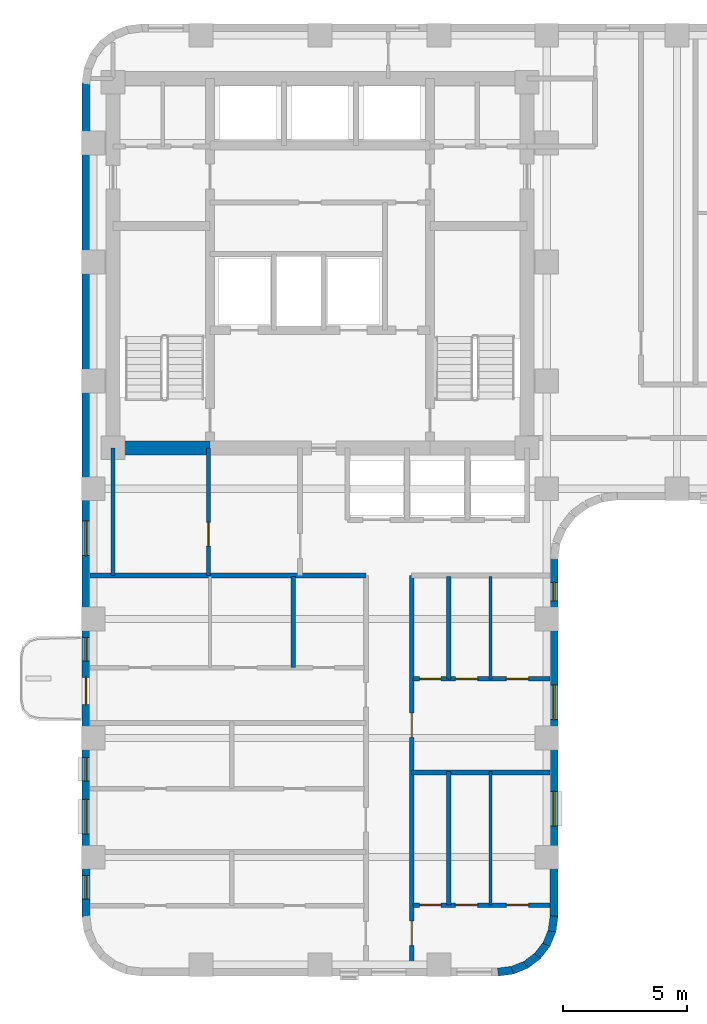
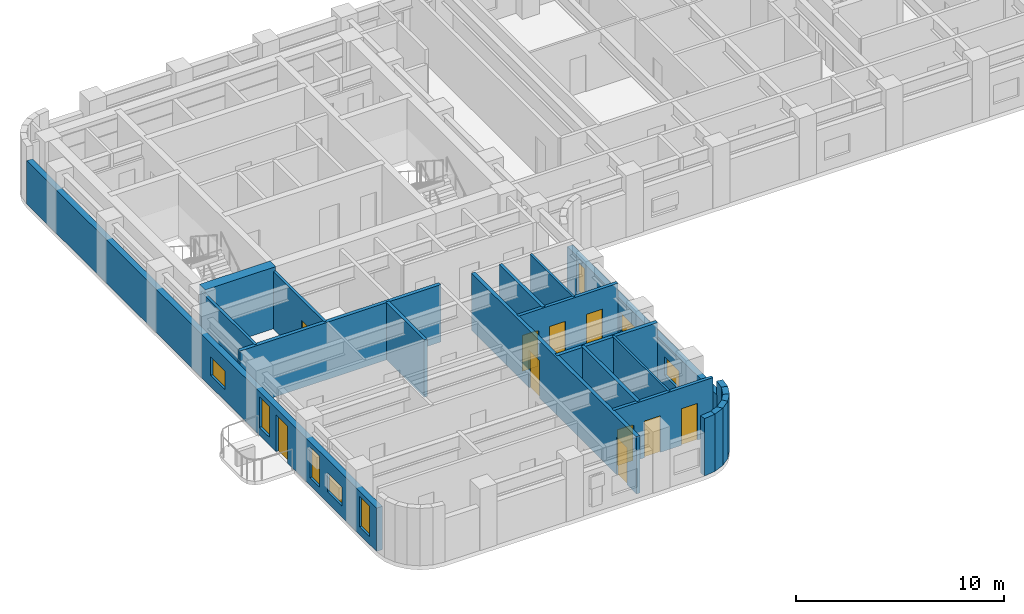
# One storey, part 3 of 10: 21 walls, 10 doors, 8 windows, 18 openings.
"""IFC4 building model written with IfcOpenShell, lengths in metres."""

from ifc_helpers import new_model, si_unit, direction, frame, frame_2d, origin, place, context, subcontext, project, spatial, rectangle, extrude, material, layer, layer_set, type_object, element, fill, save


model = new_model("IFC4")

# Units and contexts
model_context = context("Model", 3, precision=1e-05, world=origin(), true_north=direction((0.0, 1.0)))
body_context = subcontext(model_context, "Body", "Model", "MODEL_VIEW")
ifc_project = project(units=[si_unit("LENGTHUNIT", "METRE"), si_unit("AREAUNIT", "SQUARE_METRE"), si_unit("VOLUMEUNIT", "CUBIC_METRE"), si_unit("PLANEANGLEUNIT", "RADIAN"), si_unit("MASSUNIT", "GRAM", prefix="KILO")], contexts=[model_context])

# Site, building, storey
site_placement = place(None, origin())
site = spatial("IfcSite", under=ifc_project, at=site_placement, CompositionType="ELEMENT")
building_placement = place(site_placement, origin())
building = spatial("IfcBuilding", under=site, at=building_placement, Name="Orvandelia Arch Residences", CompositionType="ELEMENT")
storey_placement = place(building_placement, frame((0.0, 0.0, 136.0)))
storey = spatial("IfcBuildingStorey", under=building, at=storey_placement, Name="L35", CompositionType="ELEMENT", Elevation=136.0)

# Wall
ifc_material_1 = material(Name="Concrete C60/75", Category="concrete")
ifc_layer_1 = layer(ifc_material_1, 0.550048828125, Name="Concrete C60/75", Category="concrete")
ifc_layer_set_1 = layer_set([ifc_layer_1], Name="Concrete C60/75")
wall_type_1 = type_object("IfcWallType", Name="WL-CORE-550", PredefinedType="SHEAR", material=ifc_layer_set_1)
wall_1_placement = place(storey_placement, frame((6.050048828125, 30.89990234375, 0.0), z_axis=(0.0, 0.0, 1.0), x_axis=(1.0, 0.0, 0.0)))
element("IfcWall", 1, at=wall_1_placement, inside=storey, type_object=wall_type_1, Name="Core Shear Wall L35-SW", PredefinedType="SHEAR", context=body_context, shape_type="SweptSolid", body=[
    extrude(rectangle(XDim=3.909912109375, YDim=0.550048828125, at=frame_2d((1.955078125, 0.0))), origin(), (0.0, 0.0, 1.0), 3.60009765625),
])

# Wall, openings, doors
ifc_material_2 = material(Name="Fire-Rated Corridor Partition")
ifc_layer_2 = layer(ifc_material_2, 0.199951171875, Name="Fire-Rated Corridor Partition")
ifc_layer_set_2 = layer_set([ifc_layer_2], Name="Fire-Rated Corridor Partition")
wall_type_2 = type_object("IfcWallType", Name="WL-CORR-200", PredefinedType="PARTITIONING", material=ifc_layer_set_2)
wall_2_placement = place(storey_placement, frame((18.10009765625, 9.919921875, 0.0), z_axis=(0.0, 0.0, 1.0), x_axis=(0.0, 1.0, 0.0)))
wall_2 = element("IfcWall", 2, at=wall_2_placement, inside=storey, type_object=wall_type_2, Name="Interior Partition Wall WL-L35-WC-E", PredefinedType="PARTITIONING", context=body_context, shape_type="SweptSolid", body=[
    extrude(rectangle(XDim=15.830078125, YDim=0.199951171875, at=frame_2d((7.9150390625, 0.0))), origin(), (0.0, 0.0, 1.0), 3.360107421875),
])
opening_1_placement = place(wall_2_placement, frame((0.910888671875, 0.0, 0.0)))
opening_1 = element("IfcOpeningElement", 3, at=opening_1_placement, cuts=wall_2, Name="Opening D1", PredefinedType="OPENING", context=body_context, shape_type="SweptSolid", body=[
    extrude(rectangle(XDim=0.97998046875, YDim=2.179931640625, at=frame_2d((0.489990234375, 1.08984375))), frame((0.0, 0.10986328125, 0.0), z_axis=(0.0, -1.0, 0.0), x_axis=(1.0, 0.0, 0.0)), (0.0, 0.0, 1.0), 0.219970703125),
])
opening_2_placement = place(wall_2_placement, frame((9.302001953125, 0.0, 0.0)))
opening_2 = element("IfcOpeningElement", 4, at=opening_2_placement, cuts=wall_2, Name="Opening D1", PredefinedType="OPENING", context=body_context, shape_type="SweptSolid", body=[
    extrude(rectangle(XDim=0.97998046875, YDim=2.179931640625, at=frame_2d((0.489990234375, 1.08984375))), frame((0.0, 0.10986328125, 0.0), z_axis=(0.0, -1.0, 0.0), x_axis=(1.0, 0.0, 0.0)), (0.0, 0.0, 1.0), 0.219970703125),
])
ifc_material_3 = material(Name="Solid-Core Timber Acoustic Fire Door", Category="wood")
door_type_1 = type_object("IfcDoorType", Name="DR-ENT-980", OperationType="NOTDEFINED", PredefinedType="DOOR", material=ifc_material_3)
door_1_placement = place(opening_1_placement, origin())
door_1 = element("IfcDoor", 5, at=door_1_placement, inside=storey, type_object=door_type_1, Name="Unit L35-04 Entrance Door", OperationType="SINGLE_SWING_RIGHT", OverallHeight=2.179931640625, OverallWidth=0.97998046875, PredefinedType="DOOR", context=body_context, shape_type="SweptSolid", body=[
    extrude(rectangle(XDim=0.97998046875, YDim=2.179931640625, at=frame_2d((0.489990234375, 1.08984375))), frame((0.0, 0.02490234375, 0.0), z_axis=(0.0, -1.0, 0.0), x_axis=(1.0, 0.0, 0.0)), (0.0, 0.0, 1.0), 0.050048828125),
])
fill(opening_1, door_1)
door_2_placement = place(opening_2_placement, origin())
door_2 = element("IfcDoor", 6, at=door_2_placement, inside=storey, type_object=door_type_1, Name="Unit L35-05 Entrance Door", OperationType="SINGLE_SWING_LEFT", OverallHeight=2.179931640625, OverallWidth=0.97998046875, PredefinedType="DOOR", context=body_context, shape_type="SweptSolid", body=[
    extrude(rectangle(XDim=0.97998046875, YDim=2.179931640625, at=frame_2d((0.489990234375, 1.08984375))), frame((0.0, 0.02490234375, 0.0), z_axis=(0.0, -1.0, 0.0), x_axis=(1.0, 0.0, 0.0)), (0.0, 0.0, 1.0), 0.050048828125),
])
fill(opening_2, door_2)

# Walls
wall_3_placement = place(storey_placement, frame((5.1201171875, 25.75, 0.0), z_axis=(0.0, 0.0, 1.0), x_axis=(1.0, 0.0, 0.0)))
element("IfcWall", 7, at=wall_3_placement, inside=storey, type_object=wall_type_2, Name="Interior Partition Wall WL-L35-WCLS-W", PredefinedType="PARTITIONING", context=body_context, shape_type="SweptSolid", body=[
    extrude(rectangle(XDim=11.1298828125, YDim=0.199951171875, at=frame_2d((5.56494140625, 0.0))), origin(), (0.0, 0.0, 1.0), 3.360107421875),
])
ifc_material_4 = material(Name="Concrete C40/50", Category="concrete")
ifc_layer_3 = layer(ifc_material_4, 0.199951171875, Name="Concrete C40/50", Category="concrete")
ifc_layer_set_3 = layer_set([ifc_layer_3], Name="Concrete C40/50")
wall_type_3 = type_object("IfcWallType", Name="WL-DEM-200", PredefinedType="SOLIDWALL", material=ifc_layer_set_3)
wall_4_placement = place(storey_placement, frame((18.10009765625, 17.800048828125, 0.0), z_axis=(0.0, 0.0, 1.0), x_axis=(1.0, 0.0, 0.0)))
element("IfcWall", 8, at=wall_4_placement, inside=storey, type_object=wall_type_3, Name="Interior Partition Wall WL-L35-DEM-WR-178", PredefinedType="SOLIDWALL", context=body_context, shape_type="SweptSolid", body=[
    extrude(rectangle(XDim=5.579833984375, YDim=0.199951171875, at=frame_2d((2.7900390625, 0.0))), origin(), (0.0, 0.0, 1.0), 3.360107421875),
])

# Wall, openings, windows
ifc_material_5 = material(Name="Precast concrete C40/50", Category="concrete")
ifc_layer_4 = layer(ifc_material_5, 0.320068359375, Name="Precast concrete C40/50", Category="concrete")
ifc_layer_set_4 = layer_set([ifc_layer_4], Name="Precast concrete C40/50")
wall_type_4 = type_object("IfcWallType", Name="WL-EXT-STONE-320", PredefinedType="STANDARD", material=ifc_layer_set_4)
wall_5_placement = place(storey_placement, frame((23.840087890625, 26.39990234375, 0.0), z_axis=(0.0, 0.0, 1.0), x_axis=(0.0, -1.0, 0.0)))
wall_5 = element("IfcWall", 9, at=wall_5_placement, inside=storey, type_object=wall_type_4, Name="Coral-Limestone Precast Facade Wall L35-028", PredefinedType="STANDARD", context=body_context, shape_type="SweptSolid", body=[
    extrude(rectangle(XDim=14.39990234375, YDim=0.320068359375, at=frame_2d((7.199951171875, 0.0))), origin(), (0.0, 0.0, 1.0), 2.5400390625),
])
opening_3_placement = place(wall_5_placement, frame((9.3525390625, 0.0, 0.64990234375)))
opening_3 = element("IfcOpeningElement", 10, at=opening_3_placement, cuts=wall_5, Name="Opening W10", PredefinedType="OPENING", context=body_context, shape_type="SweptSolid", body=[
    extrude(rectangle(XDim=1.39990234375, YDim=1.10009765625, at=frame_2d((0.699951171875, 0.550048828125))), frame((0.0, 0.169921875, 0.0), z_axis=(0.0, -1.0, 0.0), x_axis=(1.0, 0.0, 0.0)), (0.0, 0.0, 1.0), 0.340087890625),
])
opening_4_placement = place(wall_5_placement, frame((0.91748046875, 0.0, 0.449951171875)))
opening_4 = element("IfcOpeningElement", 11, at=opening_4_placement, cuts=wall_5, Name="Opening W11", PredefinedType="OPENING", context=body_context, shape_type="SweptSolid", body=[
    extrude(rectangle(XDim=0.75, YDim=1.800048828125, at=frame_2d((0.375, 0.89990234375))), frame((0.0, 0.169921875, 0.0), z_axis=(0.0, -1.0, 0.0), x_axis=(1.0, 0.0, 0.0)), (0.0, 0.0, 1.0), 0.340087890625),
])
opening_5_placement = place(wall_5_placement, frame((5.060546875, 0.0, 0.64990234375)))
opening_5 = element("IfcOpeningElement", 12, at=opening_5_placement, cuts=wall_5, Name="Opening W10", PredefinedType="OPENING", context=body_context, shape_type="SweptSolid", body=[
    extrude(rectangle(XDim=1.39990234375, YDim=1.10009765625, at=frame_2d((0.699951171875, 0.550048828125))), frame((0.0, 0.169921875, 0.0), z_axis=(0.0, -1.0, 0.0), x_axis=(1.0, 0.0, 0.0)), (0.0, 0.0, 1.0), 0.340087890625),
])
ifc_material_6 = material(Name="Tempered Low-E Insulated Glazing", Category="glass")
window_type_1 = type_object("IfcWindowType", Name="WIN-BED-0750x1800", PartitioningType="SINGLE_PANEL", PredefinedType="WINDOW", material=ifc_material_6)
window_1_placement = place(opening_4_placement, origin())
window_1 = element("IfcWindow", 13, at=window_1_placement, inside=storey, type_object=window_type_1, Name="Recessed Punched Window L35-016", OverallHeight=1.800048828125, OverallWidth=0.75, PartitioningType="SINGLE_PANEL", PredefinedType="WINDOW", context=body_context, shape_type="SweptSolid", body=[
    extrude(rectangle(XDim=0.75, YDim=1.800048828125, at=frame_2d((0.375, 0.89990234375))), frame((0.0, 0.030029296875, 0.0), z_axis=(0.0, -1.0, 0.0), x_axis=(1.0, 0.0, 0.0)), (0.0, 0.0, 1.0), 0.06005859375),
])
fill(opening_4, window_1)
window_type_2 = type_object("IfcWindowType", Name="WIN-CLR-1400x1100", PartitioningType="SINGLE_PANEL", PredefinedType="WINDOW", material=ifc_material_6)
window_2_placement = place(opening_3_placement, origin())
window_2 = element("IfcWindow", 14, at=window_2_placement, inside=storey, type_object=window_type_2, Name="Recessed Punched Window L35-015", OverallHeight=1.10009765625, OverallWidth=1.39990234375, PartitioningType="SINGLE_PANEL", PredefinedType="WINDOW", context=body_context, shape_type="SweptSolid", body=[
    extrude(rectangle(XDim=1.39990234375, YDim=1.10009765625, at=frame_2d((0.699951171875, 0.550048828125))), frame((0.0, 0.030029296875, 0.0), z_axis=(0.0, -1.0, 0.0), x_axis=(1.0, 0.0, 0.0)), (0.0, 0.0, 1.0), 0.06005859375),
])
fill(opening_3, window_2)
window_3_placement = place(opening_5_placement, origin())
window_3 = element("IfcWindow", 15, at=window_3_placement, inside=storey, type_object=window_type_2, Name="Recessed Punched Window L35-017", OverallHeight=1.10009765625, OverallWidth=1.39990234375, PartitioningType="SINGLE_PANEL", PredefinedType="WINDOW", context=body_context, shape_type="SweptSolid", body=[
    extrude(rectangle(XDim=1.39990234375, YDim=1.10009765625, at=frame_2d((0.699951171875, 0.550048828125))), frame((0.0, 0.030029296875, 0.0), z_axis=(0.0, -1.0, 0.0), x_axis=(1.0, 0.0, 0.0)), (0.0, 0.0, 1.0), 0.06005859375),
])
fill(opening_5, window_3)

# Walls
wall_6_placement = place(storey_placement, frame((23.84130859375, 12.02099609375, 0.0), z_axis=(0.0, 0.0, 1.0), x_axis=(-0.130504898859, -0.991447664465, 0.0)))
element("IfcWall", 16, at=wall_6_placement, inside=storey, type_object=wall_type_4, Name="Coral-Limestone Precast Facade Wall L35-029", PredefinedType="STANDARD", context=body_context, shape_type="SweptSolid", body=[
    extrude(rectangle(XDim=0.626708984375, YDim=0.320068359375, at=frame_2d((0.3134765625, 0.0))), origin(), (0.0, 0.0, 1.0), 3.360107421875),
])
for number, where, z_axis, x_axis, name in (
    (17, (23.7705078125, 11.43994140625, 0.0), (0.0, 0.0, 1.0), (-0.382650053678, -0.92389335771, 0.0), "Coral-Limestone Precast Facade Wall L35-030"),
    (18, (23.551513671875, 10.8974609375, 0.0), (0.0, 0.0, 1.0), (-0.608693302629, -0.793405610854, 0.0), "Coral-Limestone Precast Facade Wall L35-031"),
    (19, (23.19970703125, 10.4296875, 0.0), (0.0, 0.0, 1.0), (-0.793405610854, -0.608693302629, 0.0), "Coral-Limestone Precast Facade Wall L35-032"),
    (20, (22.73876953125, 10.0693359375, 0.0), (0.0, 0.0, 1.0), (-0.92389335771, -0.382650053678, 0.0), "Coral-Limestone Precast Facade Wall L35-033"),
    (21, (22.2001953125, 9.84033203125, 0.0), (0.0, 0.0, 1.0), (-0.9914410257, -0.130555323746, 0.0), "Coral-Limestone Precast Facade Wall L35-034"),
):
    element("IfcWall", number, at=place(storey_placement, frame(where, z_axis=z_axis, x_axis=x_axis)), inside=storey, type_object=wall_type_4, Name=name, PredefinedType="STANDARD", context=body_context, shape_type="SweptSolid", body=[
        extrude(rectangle(XDim=0.62646484375, YDim=0.320068359375, at=frame_2d((0.313232421875, 0.0))), origin(), (0.0, 0.0, 1.0), 3.360107421875),
    ])

# Wall, openings, door, windows
wall_7_placement = place(storey_placement, frame((4.9599609375, 12.0, 0.0), z_axis=(0.0, 0.0, 1.0), x_axis=(0.0, 1.0, 0.0)))
wall_7 = element("IfcWall", 22, at=wall_7_placement, inside=storey, type_object=wall_type_4, Name="Coral-Limestone Precast Facade Wall L35-042", PredefinedType="STANDARD", context=body_context, shape_type="SweptSolid", body=[
    extrude(rectangle(XDim=33.60009765625, YDim=0.320068359375, at=frame_2d((16.800048828125, 0.0))), origin(), (0.0, 0.0, 1.0), 2.5400390625),
])
opening_6_placement = place(wall_7_placement, frame((8.550048828125, 0.0, 0.0)))
opening_6 = element("IfcOpeningElement", 23, at=opening_6_placement, cuts=wall_7, Name="Opening BD1", PredefinedType="OPENING", context=body_context, shape_type="SweptSolid", body=[
    extrude(rectangle(XDim=1.10009765625, YDim=2.14990234375, at=frame_2d((0.550048828125, 1.074951171875))), frame((0.0, 0.169921875, 0.0), z_axis=(0.0, -1.0, 0.0), x_axis=(1.0, 0.0, 0.0)), (0.0, 0.0, 1.0), 0.340087890625),
])
opening_7_placement = place(wall_7_placement, frame((3.327392578125, 0.0, 0.64990234375)))
opening_7 = element("IfcOpeningElement", 24, at=opening_7_placement, cuts=wall_7, Name="Opening W10", PredefinedType="OPENING", context=body_context, shape_type="SweptSolid", body=[
    extrude(rectangle(XDim=1.39990234375, YDim=1.10009765625, at=frame_2d((0.699951171875, 0.550048828125))), frame((0.0, 0.169921875, 0.0), z_axis=(0.0, -1.0, 0.0), x_axis=(1.0, 0.0, 0.0)), (0.0, 0.0, 1.0), 0.340087890625),
])
opening_8_placement = place(wall_7_placement, frame((10.297607421875, 0.0, 0.449951171875)))
opening_8 = element("IfcOpeningElement", 25, at=opening_8_placement, cuts=wall_7, Name="Opening W4", PredefinedType="OPENING", context=body_context, shape_type="SweptSolid", body=[
    extrude(rectangle(XDim=0.949951171875, YDim=1.800048828125, at=frame_2d((0.47509765625, 0.89990234375))), frame((0.0, 0.169921875, 0.0), z_axis=(0.0, -1.0, 0.0), x_axis=(1.0, 0.0, 0.0)), (0.0, 0.0, 1.0), 0.340087890625),
])
opening_9_placement = place(wall_7_placement, frame((0.699462890625, 0.0, 0.449951171875)))
opening_9 = element("IfcOpeningElement", 26, at=opening_9_placement, cuts=wall_7, Name="Opening W4", PredefinedType="OPENING", context=body_context, shape_type="SweptSolid", body=[
    extrude(rectangle(XDim=0.949951171875, YDim=1.800048828125, at=frame_2d((0.47509765625, 0.89990234375))), frame((0.0, 0.169921875, 0.0), z_axis=(0.0, -1.0, 0.0), x_axis=(1.0, 0.0, 0.0)), (0.0, 0.0, 1.0), 0.340087890625),
])
opening_10_placement = place(wall_7_placement, frame((5.45751953125, 0.0, 0.449951171875)))
opening_10 = element("IfcOpeningElement", 27, at=opening_10_placement, cuts=wall_7, Name="Opening W4", PredefinedType="OPENING", context=body_context, shape_type="SweptSolid", body=[
    extrude(rectangle(XDim=0.949951171875, YDim=1.800048828125, at=frame_2d((0.47509765625, 0.89990234375))), frame((0.0, 0.169921875, 0.0), z_axis=(0.0, -1.0, 0.0), x_axis=(1.0, 0.0, 0.0)), (0.0, 0.0, 1.0), 0.340087890625),
])
opening_11_placement = place(wall_7_placement, frame((14.5576171875, 0.0, 0.64990234375)))
opening_11 = element("IfcOpeningElement", 28, at=opening_11_placement, cuts=wall_7, Name="Opening W10", PredefinedType="OPENING", context=body_context, shape_type="SweptSolid", body=[
    extrude(rectangle(XDim=1.39990234375, YDim=1.10009765625, at=frame_2d((0.699951171875, 0.550048828125))), frame((0.0, 0.169921875, 0.0), z_axis=(0.0, -1.0, 0.0), x_axis=(1.0, 0.0, 0.0)), (0.0, 0.0, 1.0), 0.340087890625),
])
ifc_material_7 = material(Name="Thermally Broken Aluminium Glazed Door", Category="aluminium")
door_type_2 = type_object("IfcDoorType", Name="DR-BAL-GLAZ-1100", OperationType="NOTDEFINED", PredefinedType="DOOR", material=ifc_material_7)
door_3_placement = place(opening_6_placement, origin())
door_3 = element("IfcDoor", 29, at=door_3_placement, inside=storey, type_object=door_type_2, Name="Tree Balcony Glazed Door BAL-L35-W1", OperationType="SINGLE_SWING_RIGHT", OverallHeight=2.14990234375, OverallWidth=1.10009765625, PredefinedType="DOOR", context=body_context, shape_type="SweptSolid", body=[
    extrude(rectangle(XDim=1.10009765625, YDim=2.14990234375, at=frame_2d((0.550048828125, 1.074951171875))), frame((0.0, 0.02490234375, 0.0), z_axis=(0.0, -1.0, 0.0), x_axis=(1.0, 0.0, 0.0)), (0.0, 0.0, 1.0), 0.050048828125),
])
fill(opening_6, door_3)
window_4_placement = place(opening_7_placement, origin())
window_4 = element("IfcWindow", 30, at=window_4_placement, inside=storey, type_object=window_type_2, Name="Recessed Punched Window L35-021", OverallHeight=1.10009765625, OverallWidth=1.39990234375, PartitioningType="SINGLE_PANEL", PredefinedType="WINDOW", context=body_context, shape_type="SweptSolid", body=[
    extrude(rectangle(XDim=1.39990234375, YDim=1.10009765625, at=frame_2d((0.699951171875, 0.550048828125))), frame((0.0, 0.030029296875, 0.0), z_axis=(0.0, -1.0, 0.0), x_axis=(1.0, 0.0, 0.0)), (0.0, 0.0, 1.0), 0.06005859375),
])
fill(opening_7, window_4)
window_5_placement = place(opening_11_placement, origin())
window_5 = element("IfcWindow", 31, at=window_5_placement, inside=storey, type_object=window_type_2, Name="Recessed Punched Window L35-025", OverallHeight=1.10009765625, OverallWidth=1.39990234375, PartitioningType="SINGLE_PANEL", PredefinedType="WINDOW", context=body_context, shape_type="SweptSolid", body=[
    extrude(rectangle(XDim=1.39990234375, YDim=1.10009765625, at=frame_2d((0.699951171875, 0.550048828125))), frame((0.0, 0.030029296875, 0.0), z_axis=(0.0, -1.0, 0.0), x_axis=(1.0, 0.0, 0.0)), (0.0, 0.0, 1.0), 0.06005859375),
])
fill(opening_11, window_5)
window_type_3 = type_object("IfcWindowType", Name="WIN-RES-0950x1800", PartitioningType="SINGLE_PANEL", PredefinedType="WINDOW", material=ifc_material_6)
window_6_placement = place(opening_8_placement, origin())
window_6 = element("IfcWindow", 32, at=window_6_placement, inside=storey, type_object=window_type_3, Name="Recessed Punched Window L35-022", OverallHeight=1.800048828125, OverallWidth=0.949951171875, PartitioningType="SINGLE_PANEL", PredefinedType="WINDOW", context=body_context, shape_type="SweptSolid", body=[
    extrude(rectangle(XDim=0.949951171875, YDim=1.800048828125, at=frame_2d((0.47509765625, 0.89990234375))), frame((0.0, 0.030029296875, 0.0), z_axis=(0.0, -1.0, 0.0), x_axis=(1.0, 0.0, 0.0)), (0.0, 0.0, 1.0), 0.06005859375),
])
fill(opening_8, window_6)
window_7_placement = place(opening_9_placement, origin())
window_7 = element("IfcWindow", 33, at=window_7_placement, inside=storey, type_object=window_type_3, Name="Recessed Punched Window L35-023", OverallHeight=1.800048828125, OverallWidth=0.949951171875, PartitioningType="SINGLE_PANEL", PredefinedType="WINDOW", context=body_context, shape_type="SweptSolid", body=[
    extrude(rectangle(XDim=0.949951171875, YDim=1.800048828125, at=frame_2d((0.47509765625, 0.89990234375))), frame((0.0, 0.030029296875, 0.0), z_axis=(0.0, -1.0, 0.0), x_axis=(1.0, 0.0, 0.0)), (0.0, 0.0, 1.0), 0.06005859375),
])
fill(opening_9, window_7)
window_8_placement = place(opening_10_placement, origin())
window_8 = element("IfcWindow", 34, at=window_8_placement, inside=storey, type_object=window_type_3, Name="Recessed Punched Window L35-024", OverallHeight=1.800048828125, OverallWidth=0.949951171875, PartitioningType="SINGLE_PANEL", PredefinedType="WINDOW", context=body_context, shape_type="SweptSolid", body=[
    extrude(rectangle(XDim=0.949951171875, YDim=1.800048828125, at=frame_2d((0.47509765625, 0.89990234375))), frame((0.0, 0.030029296875, 0.0), z_axis=(0.0, -1.0, 0.0), x_axis=(1.0, 0.0, 0.0)), (0.0, 0.0, 1.0), 0.06005859375),
])
fill(opening_10, window_8)

# Walls
ifc_material_8 = material(Name="Lightweight Gypsum Stud Partition")
ifc_layer_5 = layer(ifc_material_8, 0.1201171875, Name="Lightweight Gypsum Stud Partition")
ifc_layer_set_5 = layer_set([ifc_layer_5], Name="Lightweight Gypsum Stud Partition")
wall_type_5 = type_object("IfcWallType", Name="WL-PART-120", PredefinedType="PARTITIONING", material=ifc_layer_set_5)
wall_8_placement = place(storey_placement, frame((21.284912109375, 12.4619140625, 0.0), z_axis=(0.0, 0.0, 1.0), x_axis=(0.0, 1.0, 0.0)))
element("IfcWall", 35, at=wall_8_placement, inside=storey, type_object=wall_type_5, Name="Interior Partition Wall WL-L35-U04-V2", PredefinedType="PARTITIONING", context=body_context, shape_type="SweptSolid", body=[
    extrude(rectangle(XDim=5.378173828125, YDim=0.1201171875, at=frame_2d((2.68896484375, 0.0))), origin(), (0.0, 0.0, 1.0), 3.360107421875),
])
wall_9_placement = place(storey_placement, frame((21.284912109375, 21.583984375, 0.0), z_axis=(0.0, 0.0, 1.0), x_axis=(0.0, 1.0, 0.0)))
element("IfcWall", 36, at=wall_9_placement, inside=storey, type_object=wall_type_5, Name="Interior Partition Wall WL-L35-U05-V2", PredefinedType="PARTITIONING", context=body_context, shape_type="SweptSolid", body=[
    extrude(rectangle(XDim=4.135986328125, YDim=0.1201171875, at=frame_2d((2.06787109375, 0.0))), origin(), (0.0, 0.0, 1.0), 3.360107421875),
])
ifc_material_9 = material(Name="Acoustic Gypsum Stud Partition")
ifc_layer_6 = layer(ifc_material_9, 0.14990234375, Name="Acoustic Gypsum Stud Partition")
ifc_layer_set_6 = layer_set([ifc_layer_6], Name="Acoustic Gypsum Stud Partition")
wall_type_6 = type_object("IfcWallType", Name="WL-PART-150", PredefinedType="PARTITIONING", material=ifc_layer_set_6)
wall_10_placement = place(storey_placement, frame((6.050048828125, 25.75, 0.0), z_axis=(0.0, 0.0, 1.0), x_axis=(0.0, 1.0, 0.0)))
element("IfcWall", 37, at=wall_10_placement, inside=storey, type_object=wall_type_6, Name="Interior Partition Wall WL-L35-B1REUSE-W", PredefinedType="PARTITIONING", context=body_context, shape_type="SweptSolid", body=[
    extrude(rectangle(XDim=5.14990234375, YDim=0.14990234375, at=frame_2d((2.574951171875, 0.0))), origin(), (0.0, 0.0, 1.0), 3.360107421875),
])

# Wall, opening, door
wall_11_placement = place(storey_placement, frame((9.89990234375, 25.75, 0.0), z_axis=(0.0, 0.0, 1.0), x_axis=(0.0, 1.0, 0.0)))
wall_11 = element("IfcWall", 38, at=wall_11_placement, inside=storey, type_object=wall_type_6, Name="Interior Partition Wall WL-L35-B1R-M", PredefinedType="PARTITIONING", context=body_context, shape_type="SweptSolid", body=[
    extrude(rectangle(XDim=5.14990234375, YDim=0.14990234375, at=frame_2d((2.574951171875, 0.0))), origin(), (0.0, 0.0, 1.0), 3.360107421875),
])
opening_12_placement = place(wall_11_placement, frame((1.199951171875, 0.0, 0.0)))
opening_12 = element("IfcOpeningElement", 39, at=opening_12_placement, cuts=wall_11, Name="Opening D2", PredefinedType="OPENING", context=body_context, shape_type="SweptSolid", body=[
    extrude(rectangle(XDim=0.949951171875, YDim=2.14990234375, at=frame_2d((0.47509765625, 1.074951171875))), frame((0.0, 0.0849609375, 0.0), z_axis=(0.0, -1.0, 0.0), x_axis=(1.0, 0.0, 0.0)), (0.0, 0.0, 1.0), 0.169921875),
])
ifc_material_10 = material(Name="Solid-Core Timber Interior Fire Door", Category="wood")
door_type_3 = type_object("IfcDoorType", Name="DR-APT-950", OperationType="NOTDEFINED", PredefinedType="DOOR", material=ifc_material_10)
door_4_placement = place(opening_12_placement, origin())
door_4 = element("IfcDoor", 40, at=door_4_placement, inside=storey, type_object=door_type_3, Name="DR-L35-B1RA", OperationType="SINGLE_SWING_RIGHT", OverallHeight=2.14990234375, OverallWidth=0.949951171875, PredefinedType="DOOR", context=body_context, shape_type="SweptSolid", body=[
    extrude(rectangle(XDim=0.949951171875, YDim=2.14990234375, at=frame_2d((0.47509765625, 1.074951171875))), frame((0.0, 0.02490234375, 0.0), z_axis=(0.0, -1.0, 0.0), x_axis=(1.0, 0.0, 0.0)), (0.0, 0.0, 1.0), 0.050048828125),
])
fill(opening_12, door_4)

# Wall
ifc_material_11 = material(Name="Moisture-Resistant Plumbing Wall")
ifc_layer_7 = layer(ifc_material_11, 0.179931640625, Name="Moisture-Resistant Plumbing Wall")
ifc_layer_set_7 = layer_set([ifc_layer_7], Name="Moisture-Resistant Plumbing Wall")
wall_type_7 = type_object("IfcWallType", Name="WL-WET-180", PredefinedType="PLUMBINGWALL", material=ifc_layer_set_7)
wall_12_placement = place(storey_placement, frame((13.322998046875, 22.0400390625, 0.0), z_axis=(0.0, 0.0, 1.0), x_axis=(0.0, 1.0, 0.0)))
element("IfcWall", 41, at=wall_12_placement, inside=storey, type_object=wall_type_7, Name="Interior Partition Wall WL-L35-U03-V2", PredefinedType="PLUMBINGWALL", context=body_context, shape_type="SweptSolid", body=[
    extrude(rectangle(XDim=3.679931640625, YDim=0.179931640625, at=frame_2d((1.83984375, 0.0))), origin(), (0.0, 0.0, 1.0), 3.360107421875),
])

# Wall, openings, doors
wall_13_placement = place(storey_placement, frame((18.159912109375, 12.4619140625, 0.0), z_axis=(0.0, 0.0, 1.0), x_axis=(1.0, 0.0, 0.0)))
wall_13 = element("IfcWall", 42, at=wall_13_placement, inside=storey, type_object=wall_type_7, Name="Interior Partition Wall WL-L35-U04-HZ", PredefinedType="PLUMBINGWALL", context=body_context, shape_type="SweptSolid", body=[
    extrude(rectangle(XDim=5.52001953125, YDim=0.179931640625, at=frame_2d((2.760009765625, 0.0))), origin(), (0.0, 0.0, 1.0), 3.360107421875),
])
opening_13_placement = place(wall_13_placement, frame((0.260009765625, 0.0, 0.0)))
opening_13 = element("IfcOpeningElement", 43, at=opening_13_placement, cuts=wall_13, Name="Opening D4", PredefinedType="OPENING", context=body_context, shape_type="SweptSolid", body=[
    extrude(rectangle(XDim=0.860107421875, YDim=2.10009765625, at=frame_2d((0.43017578125, 1.050048828125))), frame((0.0, 0.10009765625, 0.0), z_axis=(0.0, -1.0, 0.0), x_axis=(1.0, 0.0, 0.0)), (0.0, 0.0, 1.0), 0.199951171875),
])
opening_14_placement = place(wall_13_placement, frame((1.697998046875, 0.0, 0.0)))
opening_14 = element("IfcOpeningElement", 44, at=opening_14_placement, cuts=wall_13, Name="Opening D3", PredefinedType="OPENING", context=body_context, shape_type="SweptSolid", body=[
    extrude(rectangle(XDim=0.89990234375, YDim=2.14990234375, at=frame_2d((0.449951171875, 1.074951171875))), frame((0.0, 0.10009765625, 0.0), z_axis=(0.0, -1.0, 0.0), x_axis=(1.0, 0.0, 0.0)), (0.0, 0.0, 1.0), 0.199951171875),
])
opening_15_placement = place(wall_13_placement, frame((3.757080078125, 0.0, 0.0)))
opening_15 = element("IfcOpeningElement", 45, at=opening_15_placement, cuts=wall_13, Name="Opening D3", PredefinedType="OPENING", context=body_context, shape_type="SweptSolid", body=[
    extrude(rectangle(XDim=0.89990234375, YDim=2.14990234375, at=frame_2d((0.449951171875, 1.074951171875))), frame((0.0, 0.10009765625, 0.0), z_axis=(0.0, -1.0, 0.0), x_axis=(1.0, 0.0, 0.0)), (0.0, 0.0, 1.0), 0.199951171875),
])
ifc_material_12 = material(Name="Engineered Timber Flush Door", Category="wood")
door_type_4 = type_object("IfcDoorType", Name="DR-INT-900", OperationType="NOTDEFINED", PredefinedType="DOOR", material=ifc_material_12)
door_5_placement = place(opening_14_placement, origin())
door_5 = element("IfcDoor", 46, at=door_5_placement, inside=storey, type_object=door_type_4, Name="DR-L35-U04-KIT", OperationType="SINGLE_SWING_RIGHT", OverallHeight=2.14990234375, OverallWidth=0.89990234375, PredefinedType="DOOR", context=body_context, shape_type="SweptSolid", body=[
    extrude(rectangle(XDim=0.89990234375, YDim=2.14990234375, at=frame_2d((0.449951171875, 1.074951171875))), frame((0.0, 0.02490234375, 0.0), z_axis=(0.0, -1.0, 0.0), x_axis=(1.0, 0.0, 0.0)), (0.0, 0.0, 1.0), 0.050048828125),
])
fill(opening_14, door_5)
door_6_placement = place(opening_15_placement, origin())
door_6 = element("IfcDoor", 47, at=door_6_placement, inside=storey, type_object=door_type_4, Name="DR-L35-U04-BD1", OperationType="SINGLE_SWING_LEFT", OverallHeight=2.14990234375, OverallWidth=0.89990234375, PredefinedType="DOOR", context=body_context, shape_type="SweptSolid", body=[
    extrude(rectangle(XDim=0.89990234375, YDim=2.14990234375, at=frame_2d((0.449951171875, 1.074951171875))), frame((0.0, 0.02490234375, 0.0), z_axis=(0.0, -1.0, 0.0), x_axis=(1.0, 0.0, 0.0)), (0.0, 0.0, 1.0), 0.050048828125),
])
fill(opening_15, door_6)
ifc_material_13 = material(Name="Moisture-Sealed Timber Bathroom Door", Category="wood")
door_type_5 = type_object("IfcDoorType", Name="DR-WET-900", OperationType="NOTDEFINED", PredefinedType="DOOR", material=ifc_material_13)
door_7_placement = place(opening_13_placement, origin())
door_7 = element("IfcDoor", 48, at=door_7_placement, inside=storey, type_object=door_type_5, Name="DR-L35-U04-BTH", OperationType="SINGLE_SWING_LEFT", OverallHeight=2.10009765625, OverallWidth=0.860107421875, PredefinedType="DOOR", context=body_context, shape_type="SweptSolid", body=[
    extrude(rectangle(XDim=0.860107421875, YDim=2.10009765625, at=frame_2d((0.43017578125, 1.050048828125))), frame((0.0, 0.02490234375, 0.0), z_axis=(0.0, -1.0, 0.0), x_axis=(1.0, 0.0, 0.0)), (0.0, 0.0, 1.0), 0.050048828125),
])
fill(opening_13, door_7)

# Wall
wall_14_placement = place(storey_placement, frame((19.597900390625, 12.4619140625, 0.0), z_axis=(0.0, 0.0, 1.0), x_axis=(0.0, 1.0, 0.0)))
element("IfcWall", 49, at=wall_14_placement, inside=storey, type_object=wall_type_7, Name="Interior Partition Wall WL-L35-U04-V1", PredefinedType="PLUMBINGWALL", context=body_context, shape_type="SweptSolid", body=[
    extrude(rectangle(XDim=5.378173828125, YDim=0.179931640625, at=frame_2d((2.68896484375, 0.0))), origin(), (0.0, 0.0, 1.0), 3.360107421875),
])

# Wall, openings, doors
wall_15_placement = place(storey_placement, frame((18.159912109375, 21.583984375, 0.0), z_axis=(0.0, 0.0, 1.0), x_axis=(1.0, 0.0, 0.0)))
wall_15 = element("IfcWall", 50, at=wall_15_placement, inside=storey, type_object=wall_type_7, Name="Interior Partition Wall WL-L35-U05-HZ", PredefinedType="PLUMBINGWALL", context=body_context, shape_type="SweptSolid", body=[
    extrude(rectangle(XDim=5.52001953125, YDim=0.179931640625, at=frame_2d((2.760009765625, 0.0))), origin(), (0.0, 0.0, 1.0), 3.360107421875),
])
opening_16_placement = place(wall_15_placement, frame((0.260009765625, 0.0, 0.0)))
opening_16 = element("IfcOpeningElement", 51, at=opening_16_placement, cuts=wall_15, Name="Opening D4", PredefinedType="OPENING", context=body_context, shape_type="SweptSolid", body=[
    extrude(rectangle(XDim=0.860107421875, YDim=2.10009765625, at=frame_2d((0.43017578125, 1.050048828125))), frame((0.0, 0.10009765625, 0.0), z_axis=(0.0, -1.0, 0.0), x_axis=(1.0, 0.0, 0.0)), (0.0, 0.0, 1.0), 0.199951171875),
])
opening_17_placement = place(wall_15_placement, frame((1.697998046875, 0.0, 0.0)))
opening_17 = element("IfcOpeningElement", 52, at=opening_17_placement, cuts=wall_15, Name="Opening D3", PredefinedType="OPENING", context=body_context, shape_type="SweptSolid", body=[
    extrude(rectangle(XDim=0.89990234375, YDim=2.14990234375, at=frame_2d((0.449951171875, 1.074951171875))), frame((0.0, 0.10009765625, 0.0), z_axis=(0.0, -1.0, 0.0), x_axis=(1.0, 0.0, 0.0)), (0.0, 0.0, 1.0), 0.199951171875),
])
opening_18_placement = place(wall_15_placement, frame((3.757080078125, 0.0, 0.0)))
opening_18 = element("IfcOpeningElement", 53, at=opening_18_placement, cuts=wall_15, Name="Opening D3", PredefinedType="OPENING", context=body_context, shape_type="SweptSolid", body=[
    extrude(rectangle(XDim=0.89990234375, YDim=2.14990234375, at=frame_2d((0.449951171875, 1.074951171875))), frame((0.0, 0.10009765625, 0.0), z_axis=(0.0, -1.0, 0.0), x_axis=(1.0, 0.0, 0.0)), (0.0, 0.0, 1.0), 0.199951171875),
])
door_8_placement = place(opening_17_placement, origin())
door_8 = element("IfcDoor", 54, at=door_8_placement, inside=storey, type_object=door_type_4, Name="DR-L35-U05-KIT", OperationType="SINGLE_SWING_LEFT", OverallHeight=2.14990234375, OverallWidth=0.89990234375, PredefinedType="DOOR", context=body_context, shape_type="SweptSolid", body=[
    extrude(rectangle(XDim=0.89990234375, YDim=2.14990234375, at=frame_2d((0.449951171875, 1.074951171875))), frame((0.0, 0.02490234375, 0.0), z_axis=(0.0, -1.0, 0.0), x_axis=(1.0, 0.0, 0.0)), (0.0, 0.0, 1.0), 0.050048828125),
])
fill(opening_17, door_8)
door_9_placement = place(opening_18_placement, origin())
door_9 = element("IfcDoor", 55, at=door_9_placement, inside=storey, type_object=door_type_4, Name="DR-L35-U05-BD1", OperationType="SINGLE_SWING_RIGHT", OverallHeight=2.14990234375, OverallWidth=0.89990234375, PredefinedType="DOOR", context=body_context, shape_type="SweptSolid", body=[
    extrude(rectangle(XDim=0.89990234375, YDim=2.14990234375, at=frame_2d((0.449951171875, 1.074951171875))), frame((0.0, 0.02490234375, 0.0), z_axis=(0.0, -1.0, 0.0), x_axis=(1.0, 0.0, 0.0)), (0.0, 0.0, 1.0), 0.050048828125),
])
fill(opening_18, door_9)
door_10_placement = place(opening_16_placement, origin())
door_10 = element("IfcDoor", 56, at=door_10_placement, inside=storey, type_object=door_type_5, Name="DR-L35-U05-BTH", OperationType="SINGLE_SWING_RIGHT", OverallHeight=2.10009765625, OverallWidth=0.860107421875, PredefinedType="DOOR", context=body_context, shape_type="SweptSolid", body=[
    extrude(rectangle(XDim=0.860107421875, YDim=2.10009765625, at=frame_2d((0.43017578125, 1.050048828125))), frame((0.0, 0.02490234375, 0.0), z_axis=(0.0, -1.0, 0.0), x_axis=(1.0, 0.0, 0.0)), (0.0, 0.0, 1.0), 0.050048828125),
])
fill(opening_16, door_10)

# Wall
wall_16_placement = place(storey_placement, frame((19.597900390625, 21.583984375, 0.0), z_axis=(0.0, 0.0, 1.0), x_axis=(0.0, 1.0, 0.0)))
element("IfcWall", 57, at=wall_16_placement, inside=storey, type_object=wall_type_7, Name="Interior Partition Wall WL-L35-U05-V1", PredefinedType="PLUMBINGWALL", context=body_context, shape_type="SweptSolid", body=[
    extrude(rectangle(XDim=4.135986328125, YDim=0.179931640625, at=frame_2d((2.06787109375, 0.0))), origin(), (0.0, 0.0, 1.0), 3.360107421875),
])

save(model, "model.ifc")
